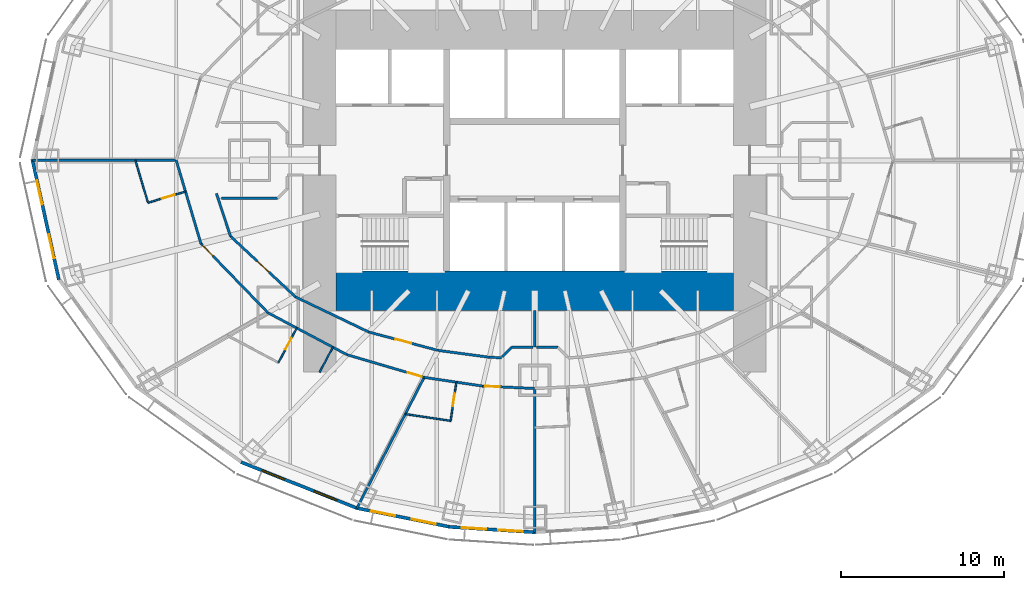
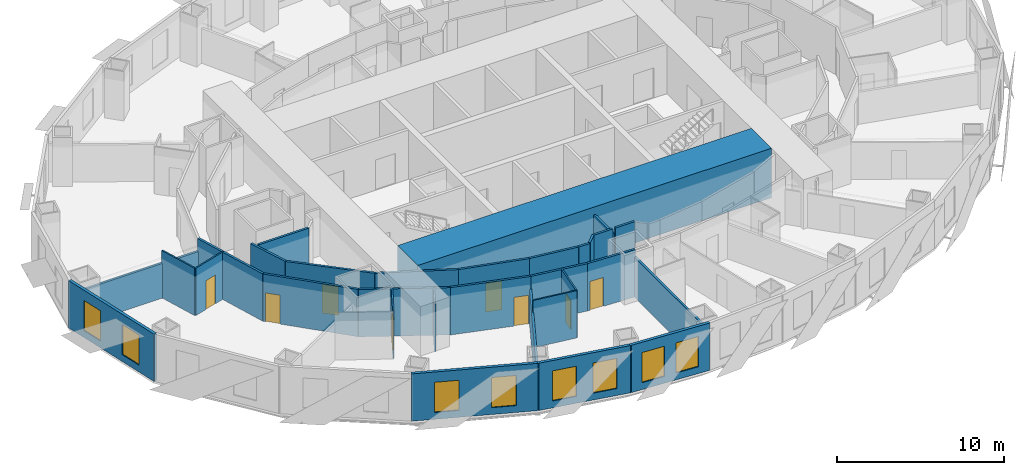
# One storey, part 5 of 15: 31 walls, 8 doors, 8 windows, 16 openings.
"""IFC4 building model written with IfcOpenShell, lengths in metres."""

from ifc_helpers import new_model, si_unit, direction, frame, frame_2d, origin, place, context, subcontext, project, spatial, rectangle, extrude, material, layer, layer_set, type_object, element, fill, save


model = new_model("IFC4")

# Units and contexts
model_context = context("Model", 3, precision=1e-05, world=origin(), true_north=direction((0.0, 1.0)))
body_context = subcontext(model_context, "Body", "Model", "MODEL_VIEW")
ifc_project = project(units=[si_unit("LENGTHUNIT", "METRE"), si_unit("AREAUNIT", "SQUARE_METRE"), si_unit("VOLUMEUNIT", "CUBIC_METRE"), si_unit("PLANEANGLEUNIT", "RADIAN"), si_unit("MASSUNIT", "GRAM", prefix="KILO")], contexts=[model_context])

# Site, building, storey
site_placement = place(None, origin())
site = spatial("IfcSite", under=ifc_project, at=site_placement, CompositionType="ELEMENT")
building_placement = place(site_placement, origin())
building = spatial("IfcBuilding", under=site, at=building_placement, Name="Lantaw Convention Tower", CompositionType="ELEMENT")
storey_placement = place(building_placement, frame((0.0, 0.0, 73.0)))
storey = spatial("IfcBuildingStorey", under=building, at=storey_placement, Name="L16", CompositionType="ELEMENT", Elevation=73.0)

# Wall
ifc_material_1 = material(Name="Gypsum board on steel studs", Category="steel")
ifc_layer_1 = layer(ifc_material_1, 0.14990234375)
ifc_layer_set_1 = layer_set([ifc_layer_1], Name="Back of house wall 150")
wall_type_1 = type_object("IfcWallType", Name="Back of house wall 150", PredefinedType="PARTITIONING", material=ifc_layer_set_1)
wall_1_placement = place(storey_placement, frame((0.0, -9.199951171875, 0.0), z_axis=(0.0, 0.0, 1.0), x_axis=(0.0, -1.0, 0.0)))
element("IfcWall", 1, at=wall_1_placement, inside=storey, type_object=wall_type_1, Name="Back of house wall 150", PredefinedType="PARTITIONING", context=body_context, shape_type="SweptSolid", body=[
    extrude(rectangle(XDim=2.26513671875, YDim=0.14990234375, at=frame_2d((1.132568359375, 0.0))), origin(), (0.0, 0.0, 1.0), 3.043701171875),
])

# Wall, opening, door
ifc_material_2 = material(Name="Moisture resistant gypsum board on steel studs", Category="steel")
ifc_layer_2 = layer(ifc_material_2, 0.10009765625)
ifc_layer_set_2 = layer_set([ifc_layer_2], Name="Bathroom wall 100")
wall_type_2 = type_object("IfcWallType", Name="Bathroom wall 100", PredefinedType="PARTITIONING", material=ifc_layer_set_2)
wall_2_placement = place(storey_placement, frame((-21.430908203125, -1.917236328125, 0.0), z_axis=(0.0, 0.0, 1.0), x_axis=(-0.958639927723, -0.284621659356, 0.0)))
wall_2 = element("IfcWall", 2, at=wall_2_placement, inside=storey, type_object=wall_type_2, Name="Bathroom wall 100", PredefinedType="PARTITIONING", context=body_context, shape_type="SweptSolid", body=[
    extrude(rectangle(XDim=2.400146484375, YDim=0.10009765625, at=frame_2d((1.2001953125, 0.0))), origin(), (0.0, 0.0, 1.0), 3.449951171875),
])
opening_1_placement = place(wall_2_placement, frame((0.699951171875, 0.0, 0.0)))
opening_1 = element("IfcOpeningElement", 3, at=opening_1_placement, cuts=wall_2, Name="Opening L16.39", PredefinedType="OPENING", context=body_context, shape_type="SweptSolid", body=[
    extrude(rectangle(XDim=0.800048828125, YDim=2.10009765625, at=frame_2d((0.39990234375, 1.050048828125))), frame((0.0, 0.06005859375, 0.0), z_axis=(0.0, -1.0, 0.0), x_axis=(1.0, 0.0, 0.0)), (0.0, 0.0, 1.0), 0.1201171875),
])
ifc_material_3 = material(Name="Timber", Category="wood")
door_type_1 = type_object("IfcDoorType", Name="Bathroom door 800", OperationType="SINGLE_SWING_LEFT", PredefinedType="DOOR", material=ifc_material_3)
door_1_placement = place(opening_1_placement, origin())
door_1 = element("IfcDoor", 4, at=door_1_placement, inside=storey, type_object=door_type_1, Name="Bathroom door", OperationType="SINGLE_SWING_LEFT", OverallHeight=2.10009765625, OverallWidth=0.800048828125, PredefinedType="DOOR", context=body_context, shape_type="SweptSolid", body=[
    extrude(rectangle(XDim=0.800048828125, YDim=2.10009765625, at=frame_2d((0.39990234375, 1.050048828125))), frame((0.0, 0.02490234375, 0.0), z_axis=(0.0, -1.0, 0.0), x_axis=(1.0, 0.0, 0.0)), (0.0, 0.0, 1.0), 0.050048828125),
])
fill(opening_1, door_1)

# Wall
wall_3_placement = place(storey_placement, frame((-23.731689453125, -2.600341796875, 0.0), z_axis=(0.0, 0.0, 1.0), x_axis=(-0.284514277473, 0.958671803025, 0.0)))
element("IfcWall", 5, at=wall_3_placement, inside=storey, type_object=wall_type_2, Name="Bathroom wall 100", PredefinedType="PARTITIONING", context=body_context, shape_type="SweptSolid", body=[
    extrude(rectangle(XDim=2.71240234375, YDim=0.10009765625, at=frame_2d((1.356201171875, 0.0))), origin(), (0.0, 0.0, 1.0), 3.449951171875),
])

# Wall, opening, door
wall_4_placement = place(storey_placement, frame((-14.602294921875, -10.291259765625, 0.0), z_axis=(0.0, 0.0, 1.0), x_axis=(-0.468770886208, -0.883319792739, 0.0)))
wall_4 = element("IfcWall", 6, at=wall_4_placement, inside=storey, type_object=wall_type_2, Name="Bathroom wall 100", PredefinedType="PARTITIONING", context=body_context, shape_type="SweptSolid", body=[
    extrude(rectangle(XDim=2.39990234375, YDim=0.10009765625, at=frame_2d((1.199951171875, 0.0))), origin(), (0.0, 0.0, 1.0), 3.449951171875),
])
opening_2_placement = place(wall_4_placement, frame((0.699951171875, 0.0, 0.0)))
opening_2 = element("IfcOpeningElement", 7, at=opening_2_placement, cuts=wall_4, Name="Opening L16.41", PredefinedType="OPENING", context=body_context, shape_type="SweptSolid", body=[
    extrude(rectangle(XDim=0.800048828125, YDim=2.10009765625, at=frame_2d((0.39990234375, 1.050048828125))), frame((0.0, 0.06005859375, 0.0), z_axis=(0.0, -1.0, 0.0), x_axis=(1.0, 0.0, 0.0)), (0.0, 0.0, 1.0), 0.1201171875),
])
door_2_placement = place(opening_2_placement, origin())
door_2 = element("IfcDoor", 8, at=door_2_placement, inside=storey, type_object=door_type_1, Name="Bathroom door", OperationType="SINGLE_SWING_LEFT", OverallHeight=2.10009765625, OverallWidth=0.800048828125, PredefinedType="DOOR", context=body_context, shape_type="SweptSolid", body=[
    extrude(rectangle(XDim=0.800048828125, YDim=2.10009765625, at=frame_2d((0.39990234375, 1.050048828125))), frame((0.0, 0.02490234375, 0.0), z_axis=(0.0, -1.0, 0.0), x_axis=(1.0, 0.0, 0.0)), (0.0, 0.0, 1.0), 0.050048828125),
])
fill(opening_2, door_2)

wall_5_placement = place(storey_placement, frame((-4.807373046875, -13.61181640625, 0.0), z_axis=(0.0, 0.0, 1.0), x_axis=(-0.147201193874, -0.989106570862, 0.0)))
wall_5 = element("IfcWall", 9, at=wall_5_placement, inside=storey, type_object=wall_type_2, Name="Bathroom wall 100", PredefinedType="PARTITIONING", context=body_context, shape_type="SweptSolid", body=[
    extrude(rectangle(XDim=2.39990234375, YDim=0.10009765625, at=frame_2d((1.199951171875, 0.0))), origin(), (0.0, 0.0, 1.0), 3.449951171875),
])
opening_3_placement = place(wall_5_placement, frame((0.699951171875, 0.0, 0.0)))
opening_3 = element("IfcOpeningElement", 10, at=opening_3_placement, cuts=wall_5, Name="Opening L16.43", PredefinedType="OPENING", context=body_context, shape_type="SweptSolid", body=[
    extrude(rectangle(XDim=0.800048828125, YDim=2.10009765625, at=frame_2d((0.39990234375, 1.050048828125))), frame((0.0, 0.06005859375, 0.0), z_axis=(0.0, -1.0, 0.0), x_axis=(1.0, 0.0, 0.0)), (0.0, 0.0, 1.0), 0.1201171875),
])
door_3_placement = place(opening_3_placement, origin())
door_3 = element("IfcDoor", 11, at=door_3_placement, inside=storey, type_object=door_type_1, Name="Bathroom door", OperationType="SINGLE_SWING_LEFT", OverallHeight=2.10009765625, OverallWidth=0.800048828125, PredefinedType="DOOR", context=body_context, shape_type="SweptSolid", body=[
    extrude(rectangle(XDim=0.800048828125, YDim=2.10009765625, at=frame_2d((0.39990234375, 1.050048828125))), frame((0.0, 0.02490234375, 0.0), z_axis=(0.0, -1.0, 0.0), x_axis=(1.0, 0.0, 0.0)), (0.0, 0.0, 1.0), 0.050048828125),
])
fill(opening_3, door_3)

# Walls
wall_6_placement = place(storey_placement, frame((-5.16064453125, -15.985595703125, 0.0), z_axis=(0.0, 0.0, 1.0), x_axis=(-0.98910744157, 0.147195343104, 0.0)))
element("IfcWall", 12, at=wall_6_placement, inside=storey, type_object=wall_type_2, Name="Bathroom wall 100", PredefinedType="PARTITIONING", context=body_context, shape_type="SweptSolid", body=[
    extrude(rectangle(XDim=2.8046875, YDim=0.10009765625, at=frame_2d((1.40234375, 0.0))), origin(), (0.0, 0.0, 1.0), 3.449951171875),
])
ifc_material_4 = material(Name="Concrete C60/75", Category="concrete")
ifc_layer_3 = layer(ifc_material_4, 2.39990234375)
ifc_layer_set_3 = layer_set([ifc_layer_3], Name="Core wall 2400")
wall_type_3 = type_object("IfcWallType", Name="Core wall 2400", PredefinedType="SHEAR", material=ifc_layer_set_3)
wall_7_placement = place(storey_placement, frame((-12.199951171875, -8.0, 0.0), z_axis=(0.0, 0.0, 1.0), x_axis=(1.0, 0.0, 0.0)))
element("IfcWall", 13, at=wall_7_placement, inside=storey, type_object=wall_type_3, Name="Core wall S", PredefinedType="SHEAR", context=body_context, shape_type="SweptSolid", body=[
    extrude(rectangle(XDim=24.39990234375, YDim=2.39990234375, at=frame_2d((12.199951171875, 0.0))), origin(), (0.0, 0.0, 1.0), 3.60009765625),
])
ifc_material_5 = material(Name="Gypsum board on steel studs, fire rated", Category="steel")
ifc_layer_4 = layer(ifc_material_5, 0.14990234375)
ifc_layer_set_4 = layer_set([ifc_layer_4], Name="Corridor wall 150 EI 60")
wall_type_4 = type_object("IfcWallType", Name="Corridor wall 150 EI 60", PredefinedType="PARTITIONING", material=ifc_layer_set_4)
wall_8_placement = place(storey_placement, frame((-22.0, 0.0, 0.0), z_axis=(0.0, 0.0, 1.0), x_axis=(0.284584469409, -0.95865096869, 0.0)))
element("IfcWall", 14, at=wall_8_placement, inside=storey, type_object=wall_type_4, Name="Corridor wall 150", PredefinedType="PARTITIONING", context=body_context, shape_type="SweptSolid", body=[
    extrude(rectangle(XDim=5.327392578125, YDim=0.14990234375, at=frame_2d((2.66357421875, 0.0))), origin(), (0.0, 0.0, 1.0), 3.449951171875),
])

# Wall, opening, door
wall_9_placement = place(storey_placement, frame((-20.48388671875, -5.107177734375, 0.0), z_axis=(0.0, 0.0, 1.0), x_axis=(0.695871090686, -0.71816671125, 0.0)))
wall_9 = element("IfcWall", 15, at=wall_9_placement, inside=storey, type_object=wall_type_4, Name="Corridor wall 150", PredefinedType="PARTITIONING", context=body_context, shape_type="SweptSolid", body=[
    extrude(rectangle(XDim=5.9130859375, YDim=0.14990234375, at=frame_2d((2.95654296875, 0.0))), origin(), (0.0, 0.0, 1.0), 3.449951171875),
])
opening_4_placement = place(wall_9_placement, frame((0.14990234375, 0.0, 0.0)))
opening_4 = element("IfcOpeningElement", 16, at=opening_4_placement, cuts=wall_9, Name="Opening L16.40", PredefinedType="OPENING", context=body_context, shape_type="SweptSolid", body=[
    extrude(rectangle(XDim=0.89990234375, YDim=2.10009765625, at=frame_2d((0.449951171875, 1.050048828125))), frame((0.0, 0.0849609375, 0.0), z_axis=(0.0, -1.0, 0.0), x_axis=(1.0, 0.0, 0.0)), (0.0, 0.0, 1.0), 0.169921875),
])
ifc_material_6 = material(Name="Steel, fire rated", Category="steel")
door_type_2 = type_object("IfcDoorType", Name="Guest room entrance door FD30S", OperationType="SINGLE_SWING_LEFT", PredefinedType="DOOR", material=ifc_material_6)
door_4_placement = place(opening_4_placement, origin())
door_4 = element("IfcDoor", 17, at=door_4_placement, inside=storey, type_object=door_type_2, Name="Junior suite entrance door", OperationType="SINGLE_SWING_LEFT", OverallHeight=2.10009765625, OverallWidth=0.89990234375, PredefinedType="DOOR", context=body_context, shape_type="SweptSolid", body=[
    extrude(rectangle(XDim=0.89990234375, YDim=2.10009765625, at=frame_2d((0.449951171875, 1.050048828125))), frame((0.0, 0.02490234375, 0.0), z_axis=(0.0, -1.0, 0.0), x_axis=(1.0, 0.0, 0.0)), (0.0, 0.0, 1.0), 0.050048828125),
])
fill(opening_4, door_4)

# Wall
wall_10_placement = place(storey_placement, frame((-16.369140625, -9.353759765625, 0.0), z_axis=(0.0, 0.0, 1.0), x_axis=(0.883334368785, -0.468743419071, 0.0)))
element("IfcWall", 18, at=wall_10_placement, inside=storey, type_object=wall_type_4, Name="Corridor wall 150", PredefinedType="PARTITIONING", context=body_context, shape_type="SweptSolid", body=[
    extrude(rectangle(XDim=5.4912109375, YDim=0.14990234375, at=frame_2d((2.74560546875, 0.0))), origin(), (0.0, 0.0, 1.0), 3.449951171875),
])

# Wall, opening, door
wall_11_placement = place(storey_placement, frame((-11.5185546875, -11.927734375, 0.0), z_axis=(0.0, 0.0, 1.0), x_axis=(0.959496227294, -0.281721475589, 0.0)))
wall_11 = element("IfcWall", 19, at=wall_11_placement, inside=storey, type_object=wall_type_4, Name="Corridor wall 150", PredefinedType="PARTITIONING", context=body_context, shape_type="SweptSolid", body=[
    extrude(rectangle(XDim=4.9326171875, YDim=0.14990234375, at=frame_2d((2.46630859375, 0.0))), origin(), (0.0, 0.0, 1.0), 3.449951171875),
])
opening_5_placement = place(wall_11_placement, frame((3.8828125, 0.0, 0.0)))
opening_5 = element("IfcOpeningElement", 20, at=opening_5_placement, cuts=wall_11, Name="Opening L16.42", PredefinedType="OPENING", context=body_context, shape_type="SweptSolid", body=[
    extrude(rectangle(XDim=0.89990234375, YDim=2.10009765625, at=frame_2d((0.449951171875, 1.050048828125))), frame((0.0, 0.0849609375, 0.0), z_axis=(0.0, -1.0, 0.0), x_axis=(1.0, 0.0, 0.0)), (0.0, 0.0, 1.0), 0.169921875),
])
door_5_placement = place(opening_5_placement, origin())
door_5 = element("IfcDoor", 21, at=door_5_placement, inside=storey, type_object=door_type_2, Name="Junior suite entrance door", OperationType="SINGLE_SWING_LEFT", OverallHeight=2.10009765625, OverallWidth=0.89990234375, PredefinedType="DOOR", context=body_context, shape_type="SweptSolid", body=[
    extrude(rectangle(XDim=0.89990234375, YDim=2.10009765625, at=frame_2d((0.449951171875, 1.050048828125))), frame((0.0, 0.02490234375, 0.0), z_axis=(0.0, -1.0, 0.0), x_axis=(1.0, 0.0, 0.0)), (0.0, 0.0, 1.0), 0.050048828125),
])
fill(opening_5, door_5)

# Wall
wall_12_placement = place(storey_placement, frame((-6.78564453125, -13.3173828125, 0.0), z_axis=(0.0, 0.0, 1.0), x_axis=(0.989107488999, -0.14719502439, 0.0)))
element("IfcWall", 22, at=wall_12_placement, inside=storey, type_object=wall_type_4, Name="Corridor wall 150", PredefinedType="PARTITIONING", context=body_context, shape_type="SweptSolid", body=[
    extrude(rectangle(XDim=3.62744140625, YDim=0.14990234375, at=frame_2d((1.813720703125, 0.0))), origin(), (0.0, 0.0, 1.0), 3.449951171875),
])

# Wall, opening, door
wall_13_placement = place(storey_placement, frame((-3.19775390625, -13.851318359375, 0.0), z_axis=(0.0, 0.0, 1.0), x_axis=(0.998920826789, -0.046445471333, 0.0)))
wall_13 = element("IfcWall", 23, at=wall_13_placement, inside=storey, type_object=wall_type_4, Name="Corridor wall 150", PredefinedType="PARTITIONING", context=body_context, shape_type="SweptSolid", body=[
    extrude(rectangle(XDim=3.201171875, YDim=0.14990234375, at=frame_2d((1.6005859375, 0.0))), origin(), (0.0, 0.0, 1.0), 3.449951171875),
])
opening_6_placement = place(wall_13_placement, frame((0.14990234375, 0.0, 0.0)))
opening_6 = element("IfcOpeningElement", 24, at=opening_6_placement, cuts=wall_13, Name="Opening L16.44", PredefinedType="OPENING", context=body_context, shape_type="SweptSolid", body=[
    extrude(rectangle(XDim=0.89990234375, YDim=2.10009765625, at=frame_2d((0.449951171875, 1.050048828125))), frame((0.0, 0.0849609375, 0.0), z_axis=(0.0, -1.0, 0.0), x_axis=(1.0, 0.0, 0.0)), (0.0, 0.0, 1.0), 0.169921875),
])
door_6_placement = place(opening_6_placement, origin())
door_6 = element("IfcDoor", 25, at=door_6_placement, inside=storey, type_object=door_type_2, Name="Junior suite entrance door", OperationType="SINGLE_SWING_LEFT", OverallHeight=2.10009765625, OverallWidth=0.89990234375, PredefinedType="DOOR", context=body_context, shape_type="SweptSolid", body=[
    extrude(rectangle(XDim=0.89990234375, YDim=2.10009765625, at=frame_2d((0.449951171875, 1.050048828125))), frame((0.0, 0.02490234375, 0.0), z_axis=(0.0, -1.0, 0.0), x_axis=(1.0, 0.0, 0.0)), (0.0, 0.0, 1.0), 0.050048828125),
])
fill(opening_6, door_6)

wall_14_placement = place(storey_placement, frame((-18.671630859375, -4.6552734375, 0.0), z_axis=(0.0, 0.0, 1.0), x_axis=(0.731260145007, -0.682098673452, 0.0)))
wall_14 = element("IfcWall", 26, at=wall_14_placement, inside=storey, type_object=wall_type_4, Name="Corridor wall 150", PredefinedType="PARTITIONING", context=body_context, shape_type="SweptSolid", body=[
    extrude(rectangle(XDim=5.4677734375, YDim=0.14990234375, at=frame_2d((2.73388671875, 0.0))), origin(), (0.0, 0.0, 1.0), 3.449951171875),
])
opening_7_placement = place(wall_14_placement, frame((2.23388671875, 0.0, 0.0)))
opening_7 = element("IfcOpeningElement", 27, at=opening_7_placement, cuts=wall_14, Name="Opening L16.21", PredefinedType="OPENING", context=body_context, shape_type="SweptSolid", body=[
    extrude(rectangle(XDim=1.0, YDim=2.10009765625, at=frame_2d((0.5, 1.050048828125))), frame((0.0, 0.0849609375, 0.0), z_axis=(0.0, -1.0, 0.0), x_axis=(1.0, 0.0, 0.0)), (0.0, 0.0, 1.0), 0.169921875),
])
door_type_3 = type_object("IfcDoorType", Name="Service door 1000 FD30", OperationType="SINGLE_SWING_LEFT", PredefinedType="DOOR", material=ifc_material_6)
door_7_placement = place(opening_7_placement, origin())
door_7 = element("IfcDoor", 28, at=door_7_placement, inside=storey, type_object=door_type_3, Name="Staff room door", OperationType="SINGLE_SWING_LEFT", OverallHeight=2.10009765625, OverallWidth=1.0, PredefinedType="DOOR", context=body_context, shape_type="SweptSolid", body=[
    extrude(rectangle(XDim=1.0, YDim=2.10009765625, at=frame_2d((0.5, 1.050048828125))), frame((0.0, 0.02490234375, 0.0), z_axis=(0.0, -1.0, 0.0), x_axis=(1.0, 0.0, 0.0)), (0.0, 0.0, 1.0), 0.050048828125),
])
fill(opening_7, door_7)

# Wall
wall_15_placement = place(storey_placement, frame((-14.67333984375, -8.384765625, 0.0), z_axis=(0.0, 0.0, 1.0), x_axis=(0.901869692799, -0.43200816799, 0.0)))
element("IfcWall", 29, at=wall_15_placement, inside=storey, type_object=wall_type_4, Name="Corridor wall 150", PredefinedType="PARTITIONING", context=body_context, shape_type="SweptSolid", body=[
    extrude(rectangle(XDim=4.985595703125, YDim=0.14990234375, at=frame_2d((2.49267578125, 0.0))), origin(), (0.0, 0.0, 1.0), 3.449951171875),
])

# Wall, opening, door
wall_16_placement = place(storey_placement, frame((-10.177001953125, -10.53857421875, 0.0), z_axis=(0.0, 0.0, 1.0), x_axis=(0.966672790407, -0.256015070428, 0.0)))
wall_16 = element("IfcWall", 30, at=wall_16_placement, inside=storey, type_object=wall_type_4, Name="Corridor wall 150", PredefinedType="PARTITIONING", context=body_context, shape_type="SweptSolid", body=[
    extrude(rectangle(XDim=4.3818359375, YDim=0.14990234375, at=frame_2d((2.19091796875, 0.0))), origin(), (0.0, 0.0, 1.0), 3.449951171875),
])
opening_8_placement = place(wall_16_placement, frame((1.69091796875, 0.0, 0.0)))
opening_8 = element("IfcOpeningElement", 31, at=opening_8_placement, cuts=wall_16, Name="Opening L16.22", PredefinedType="OPENING", context=body_context, shape_type="SweptSolid", body=[
    extrude(rectangle(XDim=1.0, YDim=2.10009765625, at=frame_2d((0.5, 1.050048828125))), frame((0.0, 0.0849609375, 0.0), z_axis=(0.0, -1.0, 0.0), x_axis=(1.0, 0.0, 0.0)), (0.0, 0.0, 1.0), 0.169921875),
])
door_8_placement = place(opening_8_placement, origin())
door_8 = element("IfcDoor", 32, at=door_8_placement, inside=storey, type_object=door_type_3, Name="Staff room door", OperationType="SINGLE_SWING_LEFT", OverallHeight=2.10009765625, OverallWidth=1.0, PredefinedType="DOOR", context=body_context, shape_type="SweptSolid", body=[
    extrude(rectangle(XDim=1.0, YDim=2.10009765625, at=frame_2d((0.5, 1.050048828125))), frame((0.0, 0.02490234375, 0.0), z_axis=(0.0, -1.0, 0.0), x_axis=(1.0, 0.0, 0.0)), (0.0, 0.0, 1.0), 0.050048828125),
])
fill(opening_8, door_8)

# Walls
wall_17_placement = place(storey_placement, frame((-5.941162109375, -11.660400390625, 0.0), z_axis=(0.0, 0.0, 1.0), x_axis=(0.991129053928, -0.13290296633, 0.0)))
element("IfcWall", 33, at=wall_17_placement, inside=storey, type_object=wall_type_4, Name="Corridor wall 150", PredefinedType="PARTITIONING", context=body_context, shape_type="SweptSolid", body=[
    extrude(rectangle(XDim=3.179931640625, YDim=0.14990234375, at=frame_2d((1.58984375, 0.0))), origin(), (0.0, 0.0, 1.0), 3.449951171875),
])
wall_18_placement = place(storey_placement, frame((-19.533447265625, -2.0302734375, 0.0), z_axis=(0.0, 0.0, 1.0), x_axis=(0.311929965981, -0.950105097515, 0.0)))
element("IfcWall", 34, at=wall_18_placement, inside=storey, type_object=wall_type_4, Name="Corridor wall 150", PredefinedType="PARTITIONING", context=body_context, shape_type="SweptSolid", body=[
    extrude(rectangle(XDim=2.762939453125, YDim=0.14990234375, at=frame_2d((1.38134765625, 0.0))), origin(), (0.0, 0.0, 1.0), 3.449951171875),
])
wall_19_placement = place(storey_placement, frame((-15.775390625, -2.324951171875, 0.0), z_axis=(0.0, 0.0, 1.0), x_axis=(-1.0, 0.0, 0.0)))
element("IfcWall", 35, at=wall_19_placement, inside=storey, type_object=wall_type_4, Name="Corridor wall 150", PredefinedType="PARTITIONING", context=body_context, shape_type="SweptSolid", body=[
    extrude(rectangle(XDim=3.44921875, YDim=0.14990234375, at=frame_2d((1.724609375, 0.0))), origin(), (0.0, 0.0, 1.0), 3.449951171875),
])
wall_20_placement = place(storey_placement, frame((-2.78955078125, -12.0830078125, 0.0), z_axis=(0.0, 0.0, 1.0), x_axis=(0.999116751279, -0.042020439232, 0.0)))
element("IfcWall", 36, at=wall_20_placement, inside=storey, type_object=wall_type_4, Name="Corridor wall 150", PredefinedType="PARTITIONING", context=body_context, shape_type="SweptSolid", body=[
    extrude(rectangle(XDim=0.75537109375, YDim=0.14990234375, at=frame_2d((0.377685546875, 0.0))), origin(), (0.0, 0.0, 1.0), 3.449951171875),
])
wall_21_placement = place(storey_placement, frame((-2.00244140625, -12.052734375, 0.0), z_axis=(0.0, 0.0, 1.0), x_axis=(0.707256164678, 0.706957366129, 0.0)))
element("IfcWall", 37, at=wall_21_placement, inside=storey, type_object=wall_type_4, Name="Corridor wall 150", PredefinedType="PARTITIONING", context=body_context, shape_type="SweptSolid", body=[
    extrude(rectangle(XDim=0.817138671875, YDim=0.14990234375, at=frame_2d((0.40869140625, 0.0))), origin(), (0.0, 0.0, 1.0), 3.449951171875),
])
for number, where, z_axis, x_axis, name in (
    (38, (-1.424560546875, -11.47509765625, 0.0), (0.0, 0.0, 1.0), (1.0, 0.0, 0.0), "Corridor wall 150"),
    (39, (0.103271484375, -11.47509765625, 0.0), (0.0, 0.0, 1.0), (1.0, 0.0, 0.0), "Corridor wall 150"),
):
    element("IfcWall", number, at=place(storey_placement, frame(where, z_axis=z_axis, x_axis=x_axis)), inside=storey, type_object=wall_type_4, Name=name, PredefinedType="PARTITIONING", context=body_context, shape_type="SweptSolid", body=[
        extrude(rectangle(XDim=1.3212890625, YDim=0.14990234375, at=frame_2d((0.66064453125, 0.0))), origin(), (0.0, 0.0, 1.0), 3.449951171875),
    ])

# Wall, openings, windows
ifc_material_7 = material(Name="Insulated aluminium panel on steel frame", Category="steel")
ifc_layer_5 = layer(ifc_material_7, 0.199951171875)
ifc_layer_set_5 = layer_set([ifc_layer_5], Name="External wall 200")
wall_type_5 = type_object("IfcWallType", Name="External wall 200", PredefinedType="SOLIDWALL", material=ifc_layer_set_5)
wall_22_placement = place(storey_placement, frame((-30.83544921875, 0.06689453125, 0.0), z_axis=(0.0, 0.0, 1.0), x_axis=(0.215238065514, -0.976561608478, 0.0)))
wall_22 = element("IfcWall", 40, at=wall_22_placement, inside=storey, type_object=wall_type_5, Name="Facade panel wall", PredefinedType="SOLIDWALL", context=body_context, shape_type="SweptSolid", body=[
    extrude(rectangle(XDim=7.562255859375, YDim=0.199951171875, at=frame_2d((3.78125, 0.0))), origin(), (0.0, 0.0, 1.0), 3.449951171875),
])
opening_9_placement = place(wall_22_placement, frame((1.340576171875, 0.0, 0.5)))
opening_9 = element("IfcOpeningElement", 41, at=opening_9_placement, cuts=wall_22, Name="Opening W2", PredefinedType="OPENING", context=body_context, shape_type="SweptSolid", body=[
    extrude(rectangle(XDim=1.5, YDim=2.199951171875, at=frame_2d((0.75, 1.10009765625))), frame((0.0, 0.10986328125, 0.0), z_axis=(0.0, -1.0, 0.0), x_axis=(1.0, 0.0, 0.0)), (0.0, 0.0, 1.0), 0.219970703125),
])
opening_10_placement = place(wall_22_placement, frame((4.7216796875, 0.0, 0.5)))
opening_10 = element("IfcOpeningElement", 42, at=opening_10_placement, cuts=wall_22, Name="Opening W2", PredefinedType="OPENING", context=body_context, shape_type="SweptSolid", body=[
    extrude(rectangle(XDim=1.5, YDim=2.199951171875, at=frame_2d((0.75, 1.10009765625))), frame((0.0, 0.10986328125, 0.0), z_axis=(0.0, -1.0, 0.0), x_axis=(1.0, 0.0, 0.0)), (0.0, 0.0, 1.0), 0.219970703125),
])
ifc_material_8 = material(Name="Aluminium frame, clear insulating glass", Category="aluminium")
window_type = type_object("IfcWindowType", Name="Suite window 1500x2200", PartitioningType="SINGLE_PANEL", PredefinedType="WINDOW", material=ifc_material_8)
window_1_placement = place(opening_9_placement, origin())
window_1 = element("IfcWindow", 43, at=window_1_placement, inside=storey, type_object=window_type, Name="Guest room window", OverallHeight=2.199951171875, OverallWidth=1.5, PartitioningType="SINGLE_PANEL", PredefinedType="WINDOW", context=body_context, shape_type="SweptSolid", body=[
    extrude(rectangle(XDim=1.5, YDim=2.199951171875, at=frame_2d((0.75, 1.10009765625))), frame((0.0, 0.030029296875, 0.0), z_axis=(0.0, -1.0, 0.0), x_axis=(1.0, 0.0, 0.0)), (0.0, 0.0, 1.0), 0.06005859375),
])
fill(opening_9, window_1)
window_2_placement = place(opening_10_placement, origin())
window_2 = element("IfcWindow", 44, at=window_2_placement, inside=storey, type_object=window_type, Name="Guest room window", OverallHeight=2.199951171875, OverallWidth=1.5, PartitioningType="SINGLE_PANEL", PredefinedType="WINDOW", context=body_context, shape_type="SweptSolid", body=[
    extrude(rectangle(XDim=1.5, YDim=2.199951171875, at=frame_2d((0.75, 1.10009765625))), frame((0.0, 0.030029296875, 0.0), z_axis=(0.0, -1.0, 0.0), x_axis=(1.0, 0.0, 0.0)), (0.0, 0.0, 1.0), 0.06005859375),
])
fill(opening_10, window_2)

wall_23_placement = place(storey_placement, frame((-18.018310546875, -18.522705078125, 0.0), z_axis=(0.0, 0.0, 1.0), x_axis=(0.929358351251, -0.369178892895, 0.0)))
wall_23 = element("IfcWall", 45, at=wall_23_placement, inside=storey, type_object=wall_type_5, Name="Facade panel wall", PredefinedType="SOLIDWALL", context=body_context, shape_type="SweptSolid", body=[
    extrude(rectangle(XDim=7.6923828125, YDim=0.199951171875, at=frame_2d((3.84619140625, 0.0))), origin(), (0.0, 0.0, 1.0), 3.449951171875),
])
opening_11_placement = place(wall_23_placement, frame((1.373046875, 0.0, 0.5)))
opening_11 = element("IfcOpeningElement", 46, at=opening_11_placement, cuts=wall_23, Name="Opening W2", PredefinedType="OPENING", context=body_context, shape_type="SweptSolid", body=[
    extrude(rectangle(XDim=1.5, YDim=2.199951171875, at=frame_2d((0.75, 1.10009765625))), frame((0.0, 0.10986328125, 0.0), z_axis=(0.0, -1.0, 0.0), x_axis=(1.0, 0.0, 0.0)), (0.0, 0.0, 1.0), 0.219970703125),
])
opening_12_placement = place(wall_23_placement, frame((4.819091796875, 0.0, 0.5)))
opening_12 = element("IfcOpeningElement", 47, at=opening_12_placement, cuts=wall_23, Name="Opening W2", PredefinedType="OPENING", context=body_context, shape_type="SweptSolid", body=[
    extrude(rectangle(XDim=1.5, YDim=2.199951171875, at=frame_2d((0.75, 1.10009765625))), frame((0.0, 0.10986328125, 0.0), z_axis=(0.0, -1.0, 0.0), x_axis=(1.0, 0.0, 0.0)), (0.0, 0.0, 1.0), 0.219970703125),
])
window_3_placement = place(opening_11_placement, origin())
window_3 = element("IfcWindow", 48, at=window_3_placement, inside=storey, type_object=window_type, Name="Guest room window", OverallHeight=2.199951171875, OverallWidth=1.5, PartitioningType="SINGLE_PANEL", PredefinedType="WINDOW", context=body_context, shape_type="SweptSolid", body=[
    extrude(rectangle(XDim=1.5, YDim=2.199951171875, at=frame_2d((0.75, 1.10009765625))), frame((0.0, 0.030029296875, 0.0), z_axis=(0.0, -1.0, 0.0), x_axis=(1.0, 0.0, 0.0)), (0.0, 0.0, 1.0), 0.06005859375),
])
fill(opening_11, window_3)
window_4_placement = place(opening_12_placement, origin())
window_4 = element("IfcWindow", 49, at=window_4_placement, inside=storey, type_object=window_type, Name="Guest room window", OverallHeight=2.199951171875, OverallWidth=1.5, PartitioningType="SINGLE_PANEL", PredefinedType="WINDOW", context=body_context, shape_type="SweptSolid", body=[
    extrude(rectangle(XDim=1.5, YDim=2.199951171875, at=frame_2d((0.75, 1.10009765625))), frame((0.0, 0.030029296875, 0.0), z_axis=(0.0, -1.0, 0.0), x_axis=(1.0, 0.0, 0.0)), (0.0, 0.0, 1.0), 0.06005859375),
])
fill(opening_12, window_4)

wall_24_placement = place(storey_placement, frame((-10.956787109375, -21.336669921875, 0.0), z_axis=(0.0, 0.0, 1.0), x_axis=(0.980251657452, -0.197754110105, 0.0)))
wall_24 = element("IfcWall", 50, at=wall_24_placement, inside=storey, type_object=wall_type_5, Name="Facade panel wall", PredefinedType="SOLIDWALL", context=body_context, shape_type="SweptSolid", body=[
    extrude(rectangle(XDim=5.90380859375, YDim=0.199951171875, at=frame_2d((2.951904296875, 0.0))), origin(), (0.0, 0.0, 1.0), 3.449951171875),
])
opening_13_placement = place(wall_24_placement, frame((0.92578125, 0.0, 0.5)))
opening_13 = element("IfcOpeningElement", 51, at=opening_13_placement, cuts=wall_24, Name="Opening W2", PredefinedType="OPENING", context=body_context, shape_type="SweptSolid", body=[
    extrude(rectangle(XDim=1.5, YDim=2.199951171875, at=frame_2d((0.75, 1.10009765625))), frame((0.0, 0.10986328125, 0.0), z_axis=(0.0, -1.0, 0.0), x_axis=(1.0, 0.0, 0.0)), (0.0, 0.0, 1.0), 0.219970703125),
])
opening_14_placement = place(wall_24_placement, frame((3.477783203125, 0.0, 0.5)))
opening_14 = element("IfcOpeningElement", 52, at=opening_14_placement, cuts=wall_24, Name="Opening W2", PredefinedType="OPENING", context=body_context, shape_type="SweptSolid", body=[
    extrude(rectangle(XDim=1.5, YDim=2.199951171875, at=frame_2d((0.75, 1.10009765625))), frame((0.0, 0.10986328125, 0.0), z_axis=(0.0, -1.0, 0.0), x_axis=(1.0, 0.0, 0.0)), (0.0, 0.0, 1.0), 0.219970703125),
])
window_5_placement = place(opening_13_placement, origin())
window_5 = element("IfcWindow", 53, at=window_5_placement, inside=storey, type_object=window_type, Name="Guest room window", OverallHeight=2.199951171875, OverallWidth=1.5, PartitioningType="SINGLE_PANEL", PredefinedType="WINDOW", context=body_context, shape_type="SweptSolid", body=[
    extrude(rectangle(XDim=1.5, YDim=2.199951171875, at=frame_2d((0.75, 1.10009765625))), frame((0.0, 0.030029296875, 0.0), z_axis=(0.0, -1.0, 0.0), x_axis=(1.0, 0.0, 0.0)), (0.0, 0.0, 1.0), 0.06005859375),
])
fill(opening_13, window_5)
window_6_placement = place(opening_14_placement, origin())
window_6 = element("IfcWindow", 54, at=window_6_placement, inside=storey, type_object=window_type, Name="Guest room window", OverallHeight=2.199951171875, OverallWidth=1.5, PartitioningType="SINGLE_PANEL", PredefinedType="WINDOW", context=body_context, shape_type="SweptSolid", body=[
    extrude(rectangle(XDim=1.5, YDim=2.199951171875, at=frame_2d((0.75, 1.10009765625))), frame((0.0, 0.030029296875, 0.0), z_axis=(0.0, -1.0, 0.0), x_axis=(1.0, 0.0, 0.0)), (0.0, 0.0, 1.0), 0.06005859375),
])
fill(opening_14, window_6)

wall_25_placement = place(storey_placement, frame((-5.252685546875, -22.493408203125, 0.0), z_axis=(0.0, 0.0, 1.0), x_axis=(0.998018582375, -0.062919863585, 0.0)))
wall_25 = element("IfcWall", 55, at=wall_25_placement, inside=storey, type_object=wall_type_5, Name="Facade panel wall", PredefinedType="SOLIDWALL", context=body_context, shape_type="SweptSolid", body=[
    extrude(rectangle(XDim=5.30419921875, YDim=0.199951171875, at=frame_2d((2.652099609375, 0.0))), origin(), (0.0, 0.0, 1.0), 3.449951171875),
])
opening_15_placement = place(wall_25_placement, frame((0.77587890625, 0.0, 0.5)))
opening_15 = element("IfcOpeningElement", 56, at=opening_15_placement, cuts=wall_25, Name="Opening W2", PredefinedType="OPENING", context=body_context, shape_type="SweptSolid", body=[
    extrude(rectangle(XDim=1.5, YDim=2.199951171875, at=frame_2d((0.75, 1.10009765625))), frame((0.0, 0.10986328125, 0.0), z_axis=(0.0, -1.0, 0.0), x_axis=(1.0, 0.0, 0.0)), (0.0, 0.0, 1.0), 0.219970703125),
])
opening_16_placement = place(wall_25_placement, frame((3.028076171875, 0.0, 0.5)))
opening_16 = element("IfcOpeningElement", 57, at=opening_16_placement, cuts=wall_25, Name="Opening W2", PredefinedType="OPENING", context=body_context, shape_type="SweptSolid", body=[
    extrude(rectangle(XDim=1.5, YDim=2.199951171875, at=frame_2d((0.75, 1.10009765625))), frame((0.0, 0.10986328125, 0.0), z_axis=(0.0, -1.0, 0.0), x_axis=(1.0, 0.0, 0.0)), (0.0, 0.0, 1.0), 0.219970703125),
])
window_7_placement = place(opening_15_placement, origin())
window_7 = element("IfcWindow", 58, at=window_7_placement, inside=storey, type_object=window_type, Name="Guest room window", OverallHeight=2.199951171875, OverallWidth=1.5, PartitioningType="SINGLE_PANEL", PredefinedType="WINDOW", context=body_context, shape_type="SweptSolid", body=[
    extrude(rectangle(XDim=1.5, YDim=2.199951171875, at=frame_2d((0.75, 1.10009765625))), frame((0.0, 0.030029296875, 0.0), z_axis=(0.0, -1.0, 0.0), x_axis=(1.0, 0.0, 0.0)), (0.0, 0.0, 1.0), 0.06005859375),
])
fill(opening_15, window_7)
window_8_placement = place(opening_16_placement, origin())
window_8 = element("IfcWindow", 59, at=window_8_placement, inside=storey, type_object=window_type, Name="Guest room window", OverallHeight=2.199951171875, OverallWidth=1.5, PartitioningType="SINGLE_PANEL", PredefinedType="WINDOW", context=body_context, shape_type="SweptSolid", body=[
    extrude(rectangle(XDim=1.5, YDim=2.199951171875, at=frame_2d((0.75, 1.10009765625))), frame((0.0, 0.030029296875, 0.0), z_axis=(0.0, -1.0, 0.0), x_axis=(1.0, 0.0, 0.0)), (0.0, 0.0, 1.0), 0.06005859375),
])
fill(opening_16, window_8)

# Walls
ifc_material_9 = material(Name="Gypsum board on steel studs, acoustic", Category="steel")
ifc_layer_6 = layer(ifc_material_9, 0.14990234375)
ifc_layer_set_6 = layer_set([ifc_layer_6], Name="Guest room party wall 150")
wall_type_6 = type_object("IfcWallType", Name="Guest room party wall 150", PredefinedType="PARTITIONING", material=ifc_layer_set_6)
wall_26_placement = place(storey_placement, frame((-30.82080078125, 0.0, 0.0), z_axis=(0.0, 0.0, 1.0), x_axis=(1.0, 0.0, 0.0)))
element("IfcWall", 60, at=wall_26_placement, inside=storey, type_object=wall_type_6, Name="Guest room party wall 150", PredefinedType="PARTITIONING", context=body_context, shape_type="SweptSolid", body=[
    extrude(rectangle(XDim=8.82080078125, YDim=0.14990234375, at=frame_2d((4.410400390625, 0.0))), origin(), (0.0, 0.0, 1.0), 2.528076171875),
])
wall_27_placement = place(storey_placement, frame((-10.911865234375, -21.345703125, 0.0), z_axis=(0.0, 0.0, 1.0), x_axis=(0.457117602022, 0.889406261458, 0.0)))
element("IfcWall", 61, at=wall_27_placement, inside=storey, type_object=wall_type_6, Name="Guest room party wall 150", PredefinedType="PARTITIONING", context=body_context, shape_type="SweptSolid", body=[
    extrude(rectangle(XDim=9.026611328125, YDim=0.14990234375, at=frame_2d((4.51318359375, 0.0))), origin(), (0.0, 0.0, 1.0), 2.528076171875),
])
wall_28_placement = place(storey_placement, frame((0.0, -22.82470703125, 0.0), z_axis=(0.0, 0.0, 1.0), x_axis=(0.0, 1.0, 0.0)))
element("IfcWall", 62, at=wall_28_placement, inside=storey, type_object=wall_type_6, Name="Guest room party wall 150", PredefinedType="PARTITIONING", context=body_context, shape_type="SweptSolid", body=[
    extrude(rectangle(XDim=8.82470703125, YDim=0.14990234375, at=frame_2d((4.412353515625, 0.0))), origin(), (0.0, 0.0, 1.0), 2.92431640625),
])
ifc_layer_7 = layer(ifc_material_9, 0.10009765625)
ifc_layer_set_7 = layer_set([ifc_layer_7], Name="Office partition 100")
wall_type_7 = type_object("IfcWallType", Name="Office partition 100", PredefinedType="PARTITIONING", material=ifc_layer_set_7)
wall_29_placement = place(storey_placement, frame((-13.199951171875, -13.0, 0.0), z_axis=(0.0, 0.0, 1.0), x_axis=(0.46874717052, 0.88333237806, 0.0)))
element("IfcWall", 63, at=wall_29_placement, inside=storey, type_object=wall_type_7, Name="Office partition 100", PredefinedType="PARTITIONING", context=body_context, shape_type="SweptSolid", body=[
    extrude(rectangle(XDim=1.7353515625, YDim=0.10009765625, at=frame_2d((0.86767578125, 0.0))), origin(), (0.0, 0.0, 1.0), 3.449951171875),
])

save(model, "model.ifc")
